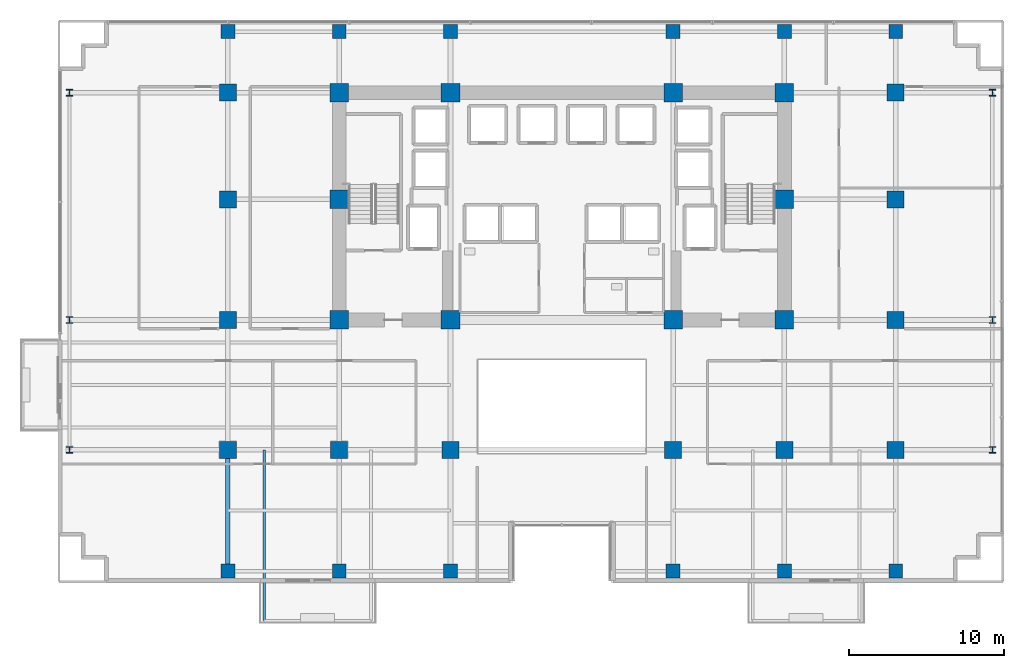
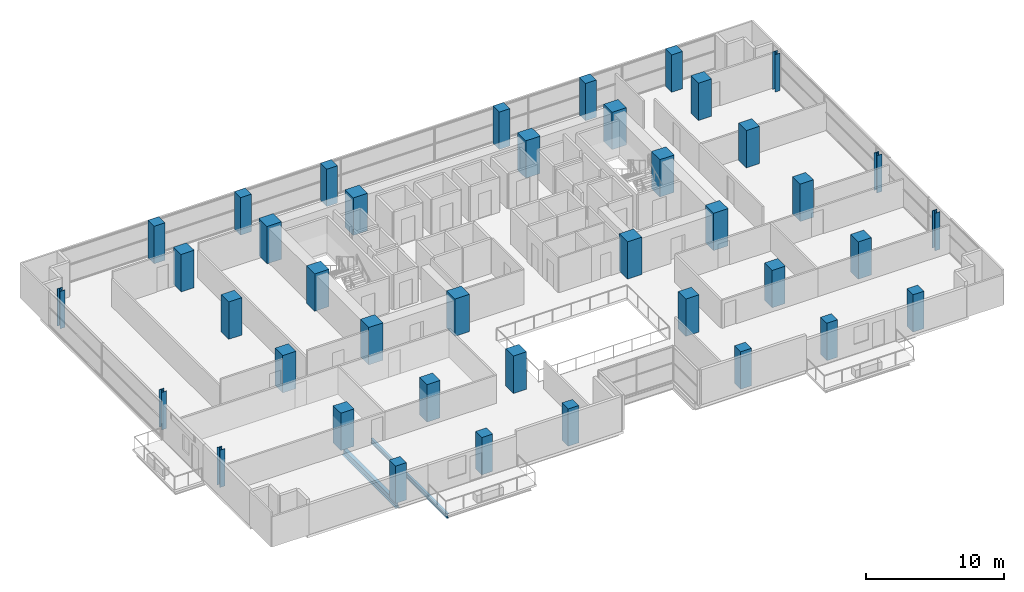
# One storey, part 1 of 30: 40 columns, 2 beams.
"""IFC4 building model written with IfcOpenShell, lengths in metres."""

from ifc_helpers import new_model, si_unit, direction, frame, origin, origin_2d, place, context, subcontext, project, spatial, rectangle, i_section, extrude, material, material_profile, profile_set, type_object, element, save


model = new_model("IFC4")

# Units and contexts
model_context = context("Model", 3, precision=1e-05, world=origin(), true_north=direction((0.0, 1.0)))
body_context = subcontext(model_context, "Body", "Model", "MODEL_VIEW")
ifc_project = project(units=[si_unit("LENGTHUNIT", "METRE"), si_unit("AREAUNIT", "SQUARE_METRE"), si_unit("VOLUMEUNIT", "CUBIC_METRE"), si_unit("PLANEANGLEUNIT", "RADIAN"), si_unit("MASSUNIT", "GRAM", prefix="KILO")], contexts=[model_context])

# Site, building, storey
site_placement = place(None, origin())
site = spatial("IfcSite", under=ifc_project, at=site_placement, CompositionType="ELEMENT")
building_placement = place(site_placement, origin())
building = spatial("IfcBuilding", under=site, at=building_placement, Name="Zarnakvel Exchange Tower", CompositionType="ELEMENT")
storey_placement = place(building_placement, frame((0.0, 0.0, 34.0)))
storey = spatial("IfcBuildingStorey", under=building, at=storey_placement, Name="L08", CompositionType="ELEMENT", Elevation=34.0)

# Columns
ifc_material_1 = material(Name="Concrete C80/95", Category="concrete")
ifc_material_profile_1 = material_profile(ifc_material_1, rectangle(XDim=1.199951171875, YDim=1.199951171875, at=origin_2d()))
ifc_profile_set_1 = profile_set([ifc_material_profile_1], Name="Concrete C80/95")
column_type_1 = type_object("IfcColumnType", Name="CC-01", PredefinedType="COLUMN", material=ifc_profile_set_1)
for number, where, z_axis, x_axis, name in (
    (1, (-14.39990234375, -1.199951171875, 0.0), (0.0, 0.0, 1.0), (1.0, 0.0, 0.0), "L08 Column C-4D (CC-01)"),
    (2, (-7.199951171875, -1.199951171875, 0.0), (0.0, 0.0, 1.0), (1.0, 0.0, 0.0), "L08 Column C-5D (CC-01)"),
    (3, (7.199951171875, -1.199951171875, 0.0), (0.0, 0.0, 1.0), (1.0, 0.0, 0.0), "L08 Column C-8D (CC-01)"),
    (4, (14.39990234375, -1.199951171875, 0.0), (0.0, 0.0, 1.0), (1.0, 0.0, 0.0), "L08 Column C-9D (CC-01)"),
    (5, (-14.39990234375, 6.60009765625, 0.0), (0.0, 0.0, 1.0), (1.0, 0.0, 0.0), "L08 Column C-4E (CC-01)"),
    (6, (14.39990234375, 6.60009765625, 0.0), (0.0, 0.0, 1.0), (1.0, 0.0, 0.0), "L08 Column C-9E (CC-01)"),
    (7, (-14.39990234375, 13.5, 0.0), (0.0, 0.0, 1.0), (1.0, 0.0, 0.0), "L08 Column C-4F (CC-01)"),
    (8, (-7.199951171875, 13.5, 0.0), (0.0, 0.0, 1.0), (1.0, 0.0, 0.0), "L08 Column C-5F (CC-01)"),
    (9, (7.199951171875, 13.5, 0.0), (0.0, 0.0, 1.0), (1.0, 0.0, 0.0), "L08 Column C-8F (CC-01)"),
    (10, (14.39990234375, 13.5, 0.0), (0.0, 0.0, 1.0), (1.0, 0.0, 0.0), "L08 Column C-9F (CC-01)"),
):
    element("IfcColumn", number, at=place(storey_placement, frame(where, z_axis=z_axis, x_axis=x_axis)), inside=storey, type_object=column_type_1, Name=name, PredefinedType="COLUMN", context=body_context, shape_type="SweptSolid", body=[
        extrude(rectangle(XDim=1.199951171875, YDim=1.199951171875, at=origin_2d()), origin(), (0.0, 0.0, 1.0), 3.300048828125),
    ])
ifc_material_2 = material(Name="Steel S355", Category="steel")
ifc_material_profile_2 = material_profile(ifc_material_2, i_section(OverallWidth=0.412109375, OverallDepth=0.425048828125, WebThickness=0.02587890625, FlangeThickness=0.0390625, FilletRadius=0.014892578125, at=origin_2d()))
ifc_profile_set_2 = profile_set([ifc_material_profile_2], Name="Steel S355")
column_type_2 = type_object("IfcColumnType", Name="SC-01", PredefinedType="COLUMN", material=ifc_profile_set_2)
for number, where, z_axis, x_axis, name in (
    (11, (-31.85009765625, -9.60009765625, 0.0), (0.0, 0.0, 1.0), (1.0, 0.0, 0.0), "L08 Column TW-C (SC-01)"),
    (12, (27.85009765625, -9.60009765625, 0.0), (0.0, 0.0, 1.0), (1.0, 0.0, 0.0), "L08 Column TE-C (SC-01)"),
    (13, (-31.85009765625, -1.199951171875, 0.0), (0.0, 0.0, 1.0), (1.0, 0.0, 0.0), "L08 Column TW-D (SC-01)"),
    (14, (27.85009765625, -1.199951171875, 0.0), (0.0, 0.0, 1.0), (1.0, 0.0, 0.0), "L08 Column TE-D (SC-01)"),
    (15, (-31.85009765625, 13.5, 0.0), (0.0, 0.0, 1.0), (1.0, 0.0, 0.0), "L08 Column TW-F (SC-01)"),
    (16, (27.85009765625, 13.5, 0.0), (0.0, 0.0, 1.0), (1.0, 0.0, 0.0), "L08 Column TE-F (SC-01)"),
):
    element("IfcColumn", number, at=place(storey_placement, frame(where, z_axis=z_axis, x_axis=x_axis)), inside=storey, type_object=column_type_2, Name=name, PredefinedType="COLUMN", context=body_context, shape_type="SweptSolid", body=[
        extrude(i_section(OverallWidth=0.412109375, OverallDepth=0.425048828125, WebThickness=0.02587890625, FlangeThickness=0.0390625, FilletRadius=0.014892578125, at=origin_2d()), origin(), (0.0, 0.0, 1.0), 3.300048828125),
    ])
ifc_material_profile_3 = material_profile(ifc_material_1, rectangle(XDim=1.10009765625, YDim=1.10009765625, at=origin_2d()))
ifc_profile_set_3 = profile_set([ifc_material_profile_3], Name="Concrete C80/95")
column_type_3 = type_object("IfcColumnType", Name="TC-01", PredefinedType="COLUMN", material=ifc_profile_set_3)
for number, where, z_axis, x_axis, name in (
    (17, (-14.39990234375, -9.60009765625, 0.0), (0.0, 0.0, 1.0), (1.0, 0.0, 0.0), "L08 Column T-4C (TC-01)"),
    (18, (-7.199951171875, -9.60009765625, 0.0), (0.0, 0.0, 1.0), (1.0, 0.0, 0.0), "L08 Column T-5C (TC-01)"),
    (19, (7.199951171875, -9.60009765625, 0.0), (0.0, 0.0, 1.0), (1.0, 0.0, 0.0), "L08 Column T-8C (TC-01)"),
    (20, (14.39990234375, -9.60009765625, 0.0), (0.0, 0.0, 1.0), (1.0, 0.0, 0.0), "L08 Column T-9C (TC-01)"),
    (21, (-21.60009765625, -9.60009765625, 0.0), (0.0, 0.0, 1.0), (1.0, 0.0, 0.0), "L08 Column T-3C (TC-01)"),
    (22, (-21.60009765625, -1.199951171875, 0.0), (0.0, 0.0, 1.0), (1.0, 0.0, 0.0), "L08 Column T-3D (TC-01)"),
    (23, (-21.60009765625, 6.60009765625, 0.0), (0.0, 0.0, 1.0), (1.0, 0.0, 0.0), "L08 Column T-3E (TC-01)"),
    (24, (-21.60009765625, 13.5, 0.0), (0.0, 0.0, 1.0), (1.0, 0.0, 0.0), "L08 Column T-3F (TC-01)"),
    (25, (21.60009765625, -9.60009765625, 0.0), (0.0, 0.0, 1.0), (1.0, 0.0, 0.0), "L08 Column T-10C (TC-01)"),
    (26, (21.60009765625, -1.199951171875, 0.0), (0.0, 0.0, 1.0), (1.0, 0.0, 0.0), "L08 Column T-10D (TC-01)"),
    (27, (21.60009765625, 6.60009765625, 0.0), (0.0, 0.0, 1.0), (1.0, 0.0, 0.0), "L08 Column T-10E (TC-01)"),
    (28, (21.60009765625, 13.5, 0.0), (0.0, 0.0, 1.0), (1.0, 0.0, 0.0), "L08 Column T-10F (TC-01)"),
):
    element("IfcColumn", number, at=place(storey_placement, frame(where, z_axis=z_axis, x_axis=x_axis)), inside=storey, type_object=column_type_3, Name=name, PredefinedType="COLUMN", context=body_context, shape_type="SweptSolid", body=[
        extrude(rectangle(XDim=1.10009765625, YDim=1.10009765625, at=origin_2d()), origin(), (0.0, 0.0, 1.0), 3.300048828125),
    ])
ifc_material_3 = material(Name="Concrete C60/75", Category="concrete")
ifc_material_profile_4 = material_profile(ifc_material_3, rectangle(XDim=0.89990234375, YDim=0.89990234375, at=origin_2d()))
ifc_profile_set_4 = profile_set([ifc_material_profile_4], Name="Concrete C60/75")
column_type_4 = type_object("IfcColumnType", Name="TC-02", PredefinedType="COLUMN", material=ifc_profile_set_4)
for number, where, z_axis, x_axis, name in (
    (29, (-14.39990234375, -17.449951171875, 0.0), (0.0, 0.0, 1.0), (1.0, 0.0, 0.0), "L08 Column TS-4 (TC-02)"),
    (30, (-14.39990234375, 17.449951171875, 0.0), (0.0, 0.0, 1.0), (1.0, 0.0, 0.0), "L08 Column TN-4 (TC-02)"),
    (31, (-7.199951171875, -17.449951171875, 0.0), (0.0, 0.0, 1.0), (1.0, 0.0, 0.0), "L08 Column TS-5 (TC-02)"),
    (32, (-7.199951171875, 17.449951171875, 0.0), (0.0, 0.0, 1.0), (1.0, 0.0, 0.0), "L08 Column TN-5 (TC-02)"),
    (33, (7.199951171875, -17.449951171875, 0.0), (0.0, 0.0, 1.0), (1.0, 0.0, 0.0), "L08 Column TS-8 (TC-02)"),
    (34, (7.199951171875, 17.449951171875, 0.0), (0.0, 0.0, 1.0), (1.0, 0.0, 0.0), "L08 Column TN-8 (TC-02)"),
    (35, (14.39990234375, -17.449951171875, 0.0), (0.0, 0.0, 1.0), (1.0, 0.0, 0.0), "L08 Column TS-9 (TC-02)"),
    (36, (14.39990234375, 17.449951171875, 0.0), (0.0, 0.0, 1.0), (1.0, 0.0, 0.0), "L08 Column TN-9 (TC-02)"),
    (37, (-21.60009765625, -17.449951171875, 0.0), (0.0, 0.0, 1.0), (1.0, 0.0, 0.0), "L08 Column TS-3 (TC-02)"),
    (38, (-21.60009765625, 17.449951171875, 0.0), (0.0, 0.0, 1.0), (1.0, 0.0, 0.0), "L08 Column TN-3 (TC-02)"),
    (39, (21.60009765625, -17.449951171875, 0.0), (0.0, 0.0, 1.0), (1.0, 0.0, 0.0), "L08 Column TS-10 (TC-02)"),
    (40, (21.60009765625, 17.449951171875, 0.0), (0.0, 0.0, 1.0), (1.0, 0.0, 0.0), "L08 Column TN-10 (TC-02)"),
):
    element("IfcColumn", number, at=place(storey_placement, frame(where, z_axis=z_axis, x_axis=x_axis)), inside=storey, type_object=column_type_4, Name=name, PredefinedType="COLUMN", context=body_context, shape_type="SweptSolid", body=[
        extrude(rectangle(XDim=0.89990234375, YDim=0.89990234375, at=origin_2d()), origin(), (0.0, 0.0, 1.0), 3.300048828125),
    ])

# Beams
ifc_material_profile_5 = material_profile(ifc_material_2, i_section(OverallWidth=0.179931640625, OverallDepth=0.39990234375, WebThickness=0.008544921875, FlangeThickness=0.013427734375, FilletRadius=0.02099609375, at=origin_2d()))
ifc_profile_set_5 = profile_set([ifc_material_profile_5], Name="Steel S355")
beam_type_1 = type_object("IfcBeamType", Name="B-06", PredefinedType="JOIST", material=ifc_profile_set_5)
beam_1_placement = place(storey_placement, frame((-19.25, -9.60009765625, -0.425048828125), z_axis=(0.0, -1.0, 0.0), x_axis=(1.0, 0.0, 0.0)))
element("IfcBeam", 41, at=beam_1_placement, inside=storey, type_object=beam_type_1, Name="L08 Continuous Back-Spanned Balcony Beam W", PredefinedType="JOIST", context=body_context, shape_type="SweptSolid", body=[
    extrude(i_section(OverallWidth=0.179931640625, OverallDepth=0.39990234375, WebThickness=0.008544921875, FlangeThickness=0.013427734375, FilletRadius=0.02099609375, at=origin_2d()), origin(), (0.0, 0.0, 1.0), 11.0498046875),
])
ifc_material_profile_6 = material_profile(ifc_material_2, i_section(OverallWidth=0.300048828125, OverallDepth=0.60009765625, WebThickness=0.015380859375, FlangeThickness=0.030029296875, FilletRadius=0.027099609375, at=origin_2d()))
ifc_profile_set_6 = profile_set([ifc_material_profile_6], Name="Steel S355")
beam_type_2 = type_object("IfcBeamType", Name="G-04", PredefinedType="BEAM", material=ifc_profile_set_6)
beam_2_placement = place(storey_placement, frame((-21.60009765625, -17.449951171875, -0.52490234375), z_axis=(0.0, 1.0, 0.0), x_axis=(-1.0, 0.0, 0.0)))
element("IfcBeam", 42, at=beam_2_placement, inside=storey, type_object=beam_type_2, Name="L08 Tower N-S Frame Beam", PredefinedType="BEAM", context=body_context, shape_type="SweptSolid", body=[
    extrude(i_section(OverallWidth=0.300048828125, OverallDepth=0.60009765625, WebThickness=0.015380859375, FlangeThickness=0.030029296875, FilletRadius=0.027099609375, at=origin_2d()), origin(), (0.0, 0.0, 1.0), 7.849853515625),
])

save(model, "model.ifc")
